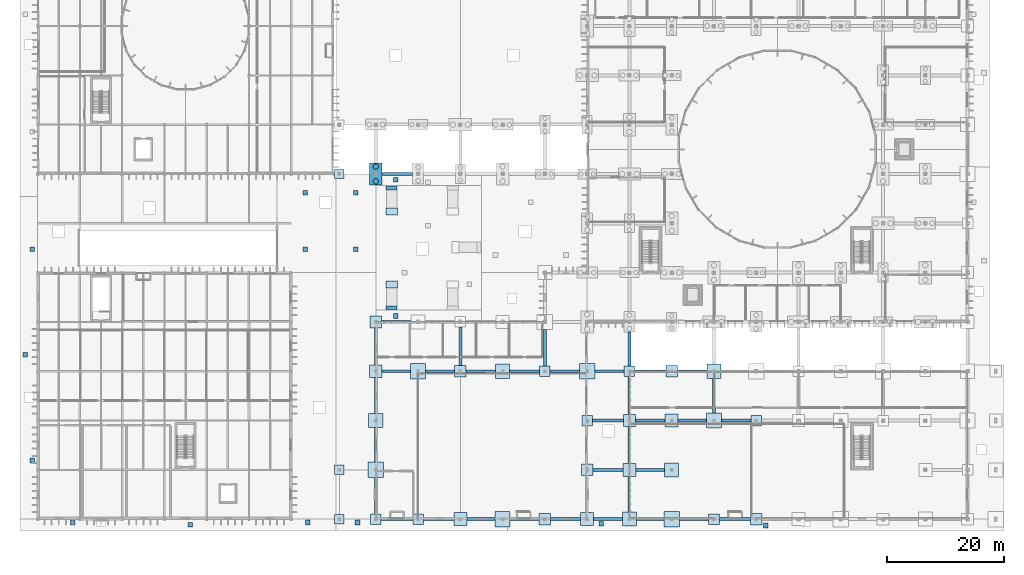
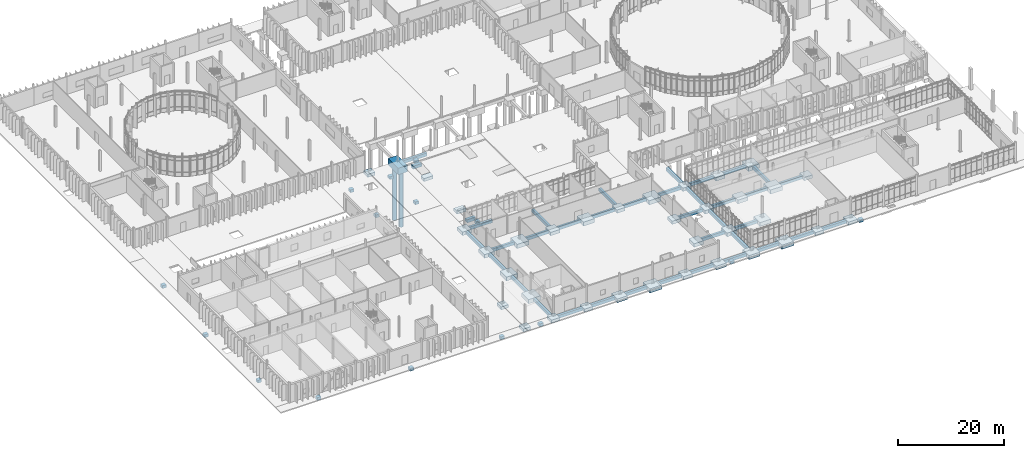
# One storey, part 1 of 118: 89 footings, 2 piles.
"""IFC4 building model written with IfcOpenShell, lengths in metres."""

from ifc_helpers import new_model, si_unit, direction, frame, origin, origin_2d, place, context, subcontext, project, spatial, polyline, rectangle, circle, outline, extrude, material, layer, layer_set, material_profile, profile_set, type_object, element, save


model = new_model("IFC4")

# Units and contexts
model_context = context("Model", 3, precision=1e-05, world=origin(), true_north=direction((0.0, 1.0)))
body_context = subcontext(model_context, "Body", "Model", "MODEL_VIEW")
ifc_project = project(units=[si_unit("LENGTHUNIT", "METRE"), si_unit("AREAUNIT", "SQUARE_METRE"), si_unit("VOLUMEUNIT", "CUBIC_METRE"), si_unit("PLANEANGLEUNIT", "RADIAN"), si_unit("MASSUNIT", "GRAM", prefix="KILO")], contexts=[model_context])

# Site, building, storey
site_placement = place(None, origin())
site = spatial("IfcSite", under=ifc_project, at=site_placement, CompositionType="ELEMENT")
building_placement = place(site_placement, origin())
building = spatial("IfcBuilding", under=site, at=building_placement, Name="Qelthora Terrace Specialist Clinic", CompositionType="ELEMENT")
storey_placement = place(building_placement, origin())
storey = spatial("IfcBuildingStorey", under=building, at=storey_placement, Name="L00", CompositionType="ELEMENT", Elevation=0.0)

# Footings
ifc_material = material(Name="Concrete C35/45", Category="concrete")
ifc_layer_1 = layer(ifc_material, 1.5)
ifc_layer_set_1 = layer_set([ifc_layer_1], Name="Concrete C35/45")
footing_type_1 = type_object("IfcFootingType", Name="PC-2100X3800X1500", PredefinedType="PILE_CAP", material=ifc_layer_set_1)
footing_1_placement = place(storey_placement, frame((57.60009765625, 58.800048828125, -1.760009765625), z_axis=(0.0, 0.0, 1.0), x_axis=(1.0, 0.0, 0.0)))
element("IfcFooting", 1, at=footing_1_placement, inside=storey, type_object=footing_type_1, Name="Foundation FTG-L00-109", PredefinedType="PILE_CAP", context=body_context, shape_type="SweptSolid", body=[
    extrude(rectangle(XDim=2.10009765625, YDim=3.800048828125, at=origin_2d()), origin(), (0.0, 0.0, 1.0), 1.5),
])
ifc_layer_2 = layer(ifc_material, 0.699951171875)
ifc_layer_set_2 = layer_set([ifc_layer_2], Name="Concrete C35/45")
footing_type_2 = type_object("IfcFootingType", Name="PF-1600X1600X700", PredefinedType="PAD_FOOTING", material=ifc_layer_set_2)
for number, where, z_axis, x_axis, name in (
    (2, (51.39990234375, 0.0, -0.9599609375), (0.0, 0.0, 1.0), (1.0, 0.0, 0.0), "Foundation FTG-L00-100"),
    (3, (51.39990234375, 8.39990234375, -0.9599609375), (0.0, 0.0, 1.0), (1.0, 0.0, 0.0), "Foundation FTG-L00-101"),
    (4, (51.39990234375, 58.800048828125, -0.9599609375), (0.0, 0.0, 1.0), (1.0, 0.0, 0.0), "Foundation FTG-L00-102"),
):
    element("IfcFooting", number, at=place(storey_placement, frame(where, z_axis=z_axis, x_axis=x_axis)), inside=storey, type_object=footing_type_2, Name=name, PredefinedType="PAD_FOOTING", context=body_context, shape_type="SweptSolid", body=[
        extrude(rectangle(XDim=1.60009765625, YDim=1.60009765625, at=origin_2d()), origin(), (0.0, 0.0, 1.0), 0.699951171875),
    ])
ifc_layer_3 = layer(ifc_material, 0.75)
ifc_layer_set_3 = layer_set([ifc_layer_3], Name="Concrete C35/45")
footing_type_3 = type_object("IfcFootingType", Name="PF-1800X1800X750", PredefinedType="PAD_FOOTING", material=ifc_layer_set_3)
for number, where, z_axis, x_axis, name in (
    (5, (57.60009765625, 0.0, -1.010009765625), (0.0, 0.0, 1.0), (1.0, 0.0, 0.0), "Foundation FTG-L00-104"),
    (6, (64.800048828125, 0.0, -1.010009765625), (0.0, 0.0, 1.0), (1.0, 0.0, 0.0), "Foundation FTG-L00-114"),
    (7, (86.39990234375, 25.199951171875, -1.010009765625), (0.0, 0.0, 1.0), (1.0, 0.0, 0.0), "Foundation FTG-L00-139"),
    (8, (93.60009765625, 16.800048828125, -1.010009765625), (0.0, 0.0, 1.0), (1.0, 0.0, 0.0), "Foundation FTG-L00-149"),
    (9, (100.800048828125, 25.199951171875, -1.010009765625), (0.0, 0.0, 1.0), (1.0, 0.0, 0.0), "Foundation FTG-L00-164"),
    (10, (115.199951171875, 0.0, -1.010009765625), (0.0, 0.0, 1.0), (1.0, 0.0, 0.0), "Foundation FTG-L00-189"),
    (11, (122.39990234375, 16.800048828125, -1.010009765625), (0.0, 0.0, 1.0), (1.0, 0.0, 0.0), "Foundation FTG-L00-199"),
):
    element("IfcFooting", number, at=place(storey_placement, frame(where, z_axis=z_axis, x_axis=x_axis)), inside=storey, type_object=footing_type_3, Name=name, PredefinedType="PAD_FOOTING", context=body_context, shape_type="SweptSolid", body=[
        extrude(rectangle(XDim=1.800048828125, YDim=1.800048828125, at=origin_2d()), origin(), (0.0, 0.0, 1.0), 0.75),
    ])
footing_2_placement = place(storey_placement, frame((0.0, 0.0, -1.199951171875)))
element("IfcFooting", 12, at=footing_2_placement, inside=storey, type_object=footing_type_3, Name="Pedestrian ramp PR-01 landing footing", PredefinedType="PAD_FOOTING", context=body_context, shape_type="SweptSolid", body=[
    extrude(outline(polyline([(59.300048828125, 39.39990234375), (61.300048828125, 39.39990234375), (61.300048828125, 40.60009765625), (59.300048828125, 40.60009765625), (59.300048828125, 39.39990234375)])), origin(), (0.0, 0.0, 1.0), 0.699951171875),
])
footing_3_placement = place(storey_placement, frame((0.0, 0.0, -0.949951171875)))
element("IfcFooting", 13, at=footing_3_placement, inside=storey, type_object=footing_type_3, Name="Pedestrian ramp PR-01 upper abutment footing", PredefinedType="PAD_FOOTING", context=body_context, shape_type="SweptSolid", body=[
    extrude(outline(polyline([(59.35009765625, 35.6494140625), (61.25, 35.6494140625), (61.25, 36.349365234375), (59.35009765625, 36.349365234375), (59.35009765625, 35.6494140625)])), origin(), (0.0, 0.0, 1.0), 0.699951171875),
])
footing_4_placement = place(storey_placement, frame((0.0, 0.0, -1.199951171875)))
element("IfcFooting", 14, at=footing_4_placement, inside=storey, type_object=footing_type_3, Name="Pedestrian ramp PR-03 landing footing", PredefinedType="PAD_FOOTING", context=body_context, shape_type="SweptSolid", body=[
    extrude(outline(polyline([(59.300048828125, 51.800048828125), (61.300048828125, 51.800048828125), (61.300048828125, 53.0), (59.300048828125, 53.0), (59.300048828125, 51.800048828125)])), origin(), (0.0, 0.0, 1.0), 0.699951171875),
])
footing_5_placement = place(storey_placement, frame((0.0, 0.0, -0.949951171875)))
element("IfcFooting", 15, at=footing_5_placement, inside=storey, type_object=footing_type_3, Name="Pedestrian ramp PR-03 upper abutment footing", PredefinedType="PAD_FOOTING", context=body_context, shape_type="SweptSolid", body=[
    extrude(outline(polyline([(59.35009765625, 56.050537109375), (61.25, 56.050537109375), (61.25, 56.75048828125), (59.35009765625, 56.75048828125), (59.35009765625, 56.050537109375)])), origin(), (0.0, 0.0, 1.0), 0.699951171875),
])
ifc_layer_4 = layer(ifc_material, 0.800048828125)
ifc_layer_set_4 = layer_set([ifc_layer_4], Name="Concrete C35/45")
footing_type_4 = type_object("IfcFootingType", Name="PF-2000X2000X800", PredefinedType="PAD_FOOTING", material=ifc_layer_set_4)
for number, where, z_axis, x_axis, name in (
    (16, (57.60009765625, 33.60009765625, -1.06005859375), (0.0, 0.0, 1.0), (1.0, 0.0, 0.0), "Foundation FTG-L00-108"),
    (17, (72.0, 25.199951171875, -1.06005859375), (0.0, 0.0, 1.0), (1.0, 0.0, 0.0), "Foundation FTG-L00-123"),
    (18, (86.39990234375, 0.0, -1.06005859375), (0.0, 0.0, 1.0), (1.0, 0.0, 0.0), "Foundation FTG-L00-138"),
    (19, (93.60009765625, 8.39990234375, -1.06005859375), (0.0, 0.0, 1.0), (1.0, 0.0, 0.0), "Foundation FTG-L00-148"),
    (20, (100.800048828125, 16.800048828125, -1.06005859375), (0.0, 0.0, 1.0), (1.0, 0.0, 0.0), "Foundation FTG-L00-163"),
    (21, (108.0, 25.199951171875, -1.06005859375), (0.0, 0.0, 1.0), (1.0, 0.0, 0.0), "Foundation FTG-L00-178"),
    (22, (122.39990234375, 0.0, -1.06005859375), (0.0, 0.0, 1.0), (1.0, 0.0, 0.0), "Foundation FTG-L00-198"),
):
    element("IfcFooting", number, at=place(storey_placement, frame(where, z_axis=z_axis, x_axis=x_axis)), inside=storey, type_object=footing_type_4, Name=name, PredefinedType="PAD_FOOTING", context=body_context, shape_type="SweptSolid", body=[
        extrude(rectangle(XDim=2.0, YDim=2.0, at=origin_2d()), origin(), (0.0, 0.0, 1.0), 0.800048828125),
    ])
ifc_layer_5 = layer(ifc_material, 0.85009765625)
ifc_layer_set_5 = layer_set([ifc_layer_5], Name="Concrete C35/45")
footing_type_5 = type_object("IfcFootingType", Name="PF-2200X2200X850", PredefinedType="PAD_FOOTING", material=ifc_layer_set_5)
for number, where, z_axis, x_axis, name in (
    (23, (57.60009765625, 25.199951171875, -1.110107421875), (0.0, 0.0, 1.0), (1.0, 0.0, 0.0), "Foundation FTG-L00-107"),
    (24, (72.0, 0.0, -1.110107421875), (0.0, 0.0, 1.0), (1.0, 0.0, 0.0), "Foundation FTG-L00-122"),
    (25, (93.60009765625, 0.0, -1.110107421875), (0.0, 0.0, 1.0), (1.0, 0.0, 0.0), "Foundation FTG-L00-147"),
    (26, (100.800048828125, 8.39990234375, -1.110107421875), (0.0, 0.0, 1.0), (1.0, 0.0, 0.0), "Foundation FTG-L00-162"),
    (27, (108.0, 16.800048828125, -1.110107421875), (0.0, 0.0, 1.0), (1.0, 0.0, 0.0), "Foundation FTG-L00-177"),
):
    element("IfcFooting", number, at=place(storey_placement, frame(where, z_axis=z_axis, x_axis=x_axis)), inside=storey, type_object=footing_type_5, Name=name, PredefinedType="PAD_FOOTING", context=body_context, shape_type="SweptSolid", body=[
        extrude(rectangle(XDim=2.199951171875, YDim=2.199951171875, at=origin_2d()), origin(), (0.0, 0.0, 1.0), 0.85009765625),
    ])
ifc_layer_6 = layer(ifc_material, 0.89990234375)
ifc_layer_set_6 = layer_set([ifc_layer_6], Name="Concrete C35/45")
footing_type_6 = type_object("IfcFootingType", Name="PF-2400X2400X900", PredefinedType="PAD_FOOTING", material=ifc_layer_set_6)
for number, where, z_axis, x_axis, name in (
    (28, (57.60009765625, 16.800048828125, -1.159912109375), (0.0, 0.0, 1.0), (1.0, 0.0, 0.0), "Foundation FTG-L00-106"),
    (29, (79.199951171875, 25.199951171875, -1.159912109375), (0.0, 0.0, 1.0), (1.0, 0.0, 0.0), "Foundation FTG-L00-131"),
    (30, (100.800048828125, 0.0, -1.159912109375), (0.0, 0.0, 1.0), (1.0, 0.0, 0.0), "Foundation FTG-L00-161"),
    (31, (108.0, 8.39990234375, -1.159912109375), (0.0, 0.0, 1.0), (1.0, 0.0, 0.0), "Foundation FTG-L00-176"),
    (32, (115.199951171875, 25.199951171875, -1.159912109375), (0.0, 0.0, 1.0), (1.0, 0.0, 0.0), "Foundation FTG-L00-191"),
):
    element("IfcFooting", number, at=place(storey_placement, frame(where, z_axis=z_axis, x_axis=x_axis)), inside=storey, type_object=footing_type_6, Name=name, PredefinedType="PAD_FOOTING", context=body_context, shape_type="SweptSolid", body=[
        extrude(rectangle(XDim=2.39990234375, YDim=2.39990234375, at=origin_2d()), origin(), (0.0, 0.0, 1.0), 0.89990234375),
    ])
ifc_layer_7 = layer(ifc_material, 0.949951171875)
ifc_layer_set_7 = layer_set([ifc_layer_7], Name="Concrete C35/45")
footing_type_7 = type_object("IfcFootingType", Name="PF-2600X2600X950", PredefinedType="PAD_FOOTING", material=ifc_layer_set_7)
for number, where, z_axis, x_axis, name in (
    (33, (57.60009765625, 8.39990234375, -1.2099609375), (0.0, 0.0, 1.0), (1.0, 0.0, 0.0), "Foundation FTG-L00-105"),
    (34, (64.800048828125, 25.199951171875, -1.2099609375), (0.0, 0.0, 1.0), (1.0, 0.0, 0.0), "Foundation FTG-L00-115"),
    (35, (79.199951171875, 0.0, -1.2099609375), (0.0, 0.0, 1.0), (1.0, 0.0, 0.0), "Foundation FTG-L00-130"),
    (36, (93.60009765625, 25.199951171875, -1.2099609375), (0.0, 0.0, 1.0), (1.0, 0.0, 0.0), "Foundation FTG-L00-150"),
    (37, (108.0, 0.0, -1.2099609375), (0.0, 0.0, 1.0), (1.0, 0.0, 0.0), "Foundation FTG-L00-175"),
    (38, (115.199951171875, 16.800048828125, -1.2099609375), (0.0, 0.0, 1.0), (1.0, 0.0, 0.0), "Foundation FTG-L00-190"),
):
    element("IfcFooting", number, at=place(storey_placement, frame(where, z_axis=z_axis, x_axis=x_axis)), inside=storey, type_object=footing_type_7, Name=name, PredefinedType="PAD_FOOTING", context=body_context, shape_type="SweptSolid", body=[
        extrude(rectangle(XDim=2.60009765625, YDim=2.60009765625, at=origin_2d()), origin(), (0.0, 0.0, 1.0), 0.949951171875),
    ])
ifc_layer_8 = layer(ifc_material, 0.64990234375)
ifc_layer_set_8 = layer_set([ifc_layer_8], Name="Concrete C35/45")
footing_type_8 = type_object("IfcFootingType", Name="PF-800X800X650", PredefinedType="PAD_FOOTING", material=ifc_layer_set_8)
for number, where, z_axis, x_axis, name in (
    (39, (6.0, -0.550048828125, -0.89990234375), (0.0, 0.0, 1.0), (1.0, 0.0, 0.0), "Under-slab apron pad footing FTG-PLZ-10"),
    (40, (26.0, -0.949951171875, -0.89990234375), (0.0, 0.0, 1.0), (1.0, 0.0, 0.0), "Under-slab apron pad footing FTG-PLZ-11"),
    (41, (46.0, -0.550048828125, -0.89990234375), (0.0, 0.0, 1.0), (1.0, 0.0, 0.0), "Under-slab apron pad footing FTG-PLZ-12"),
    (42, (54.5, -0.550048828125, -0.89990234375), (0.0, 0.0, 1.0), (1.0, 0.0, 0.0), "Under-slab apron pad footing FTG-PLZ-13"),
    (43, (96.0, -0.780029296875, -0.89990234375), (0.0, 0.0, 1.0), (1.0, 0.0, 0.0), "Under-slab apron pad footing FTG-PLZ-16"),
    (44, (124.0, -1.06005859375, -0.89990234375), (0.0, 0.0, 1.0), (1.0, 0.0, 0.0), "Under-slab apron pad footing FTG-PLZ-17"),
    (45, (-0.89990234375, 10.0, -0.89990234375), (0.0, 0.0, 1.0), (1.0, 0.0, 0.0), "Under-slab apron pad footing FTG-PLZ-19"),
    (46, (-2.10009765625, 28.0, -0.89990234375), (0.0, 0.0, 1.0), (1.0, 0.0, 0.0), "Under-slab apron pad footing FTG-PLZ-20"),
    (47, (-0.89990234375, 46.0, -0.89990234375), (0.0, 0.0, 1.0), (1.0, 0.0, 0.0), "Under-slab apron pad footing FTG-PLZ-21"),
    (48, (45.60009765625, 46.0, -0.89990234375), (0.0, 0.0, 1.0), (1.0, 0.0, 0.0), "Under-slab apron pad footing FTG-PLZ-31"),
    (49, (45.60009765625, 55.60009765625, -0.89990234375), (0.0, 0.0, 1.0), (1.0, 0.0, 0.0), "Under-slab apron pad footing FTG-PLZ-32"),
    (50, (54.199951171875, 46.0, -0.89990234375), (0.0, 0.0, 1.0), (1.0, 0.0, 0.0), "Under-slab apron pad footing FTG-PLZ-33"),
    (51, (54.199951171875, 55.60009765625, -0.89990234375), (0.0, 0.0, 1.0), (1.0, 0.0, 0.0), "Under-slab apron pad footing FTG-PLZ-34"),
    (52, (61.0, 34.60009765625, -0.89990234375), (0.0, 0.0, 1.0), (1.0, 0.0, 0.0), "Under-slab apron pad footing FTG-PLZ-35"),
    (53, (61.0, 57.800048828125, -0.89990234375), (0.0, 0.0, 1.0), (1.0, 0.0, 0.0), "Under-slab apron pad footing FTG-PLZ-38"),
):
    element("IfcFooting", number, at=place(storey_placement, frame(where, z_axis=z_axis, x_axis=x_axis)), inside=storey, type_object=footing_type_8, Name=name, PredefinedType="PAD_FOOTING", context=body_context, shape_type="SweptSolid", body=[
        extrude(rectangle(XDim=0.800048828125, YDim=0.800048828125, at=origin_2d()), origin(), (0.0, 0.0, 1.0), 0.64990234375),
    ])

# Piles
ifc_material_profile = material_profile(ifc_material, circle(Radius=0.449951171875, at=origin_2d()), Name="PILE900")
ifc_profile_set = profile_set([ifc_material_profile], Name="Concrete C35/45")
pile_type = type_object("IfcPileType", Name="PILE-D900-C35", PredefinedType="BORED", material=ifc_profile_set)
for number, where, z_axis, x_axis, name in (
    (54, (57.60009765625, 57.550048828125, -1.659912109375), (0.0, 0.0, -1.0), (1.0, 0.0, 0.0), "Bored pile PILE-L00-109-1"),
    (55, (57.60009765625, 60.050048828125, -1.659912109375), (0.0, 0.0, -1.0), (1.0, 0.0, 0.0), "Bored pile PILE-L00-109-2"),
):
    element("IfcPile", number, at=place(storey_placement, frame(where, z_axis=z_axis, x_axis=x_axis)), inside=storey, type_object=pile_type, Name=name, PredefinedType="BORED", context=body_context, shape_type="SweptSolid", body=[
        extrude(circle(Radius=0.449951171875, at=origin_2d()), origin(), (0.0, 0.0, 1.0), 12.639892578125),
    ])

# Footings
ifc_layer_9 = layer(ifc_material, 0.699951171875)
ifc_layer_set_9 = layer_set([ifc_layer_9], Name="Concrete C35/45")
footing_type_9 = type_object("IfcFootingType", Name="SF-500X700-C35", PredefinedType="STRIP_FOOTING", material=ifc_layer_set_9)
footing_6_placement = place(storey_placement, frame((0.0, 0.0, -0.9599609375)))
element("IfcFooting", 56, at=footing_6_placement, inside=storey, type_object=footing_type_9, Name="Foundation tie strip SF-X-131", PredefinedType="STRIP_FOOTING", context=body_context, shape_type="SweptSolid", body=[
    extrude(outline(polyline([(58.5, -0.25), (63.89990234375, -0.25), (63.89990234375, 0.25), (58.5, 0.25), (58.5, -0.25)])), origin(), (0.0, 0.0, 1.0), 0.699951171875),
])
footing_7_placement = place(storey_placement, frame((0.0, 0.0, -0.9599609375)))
element("IfcFooting", 57, at=footing_7_placement, inside=storey, type_object=footing_type_9, Name="Foundation tie strip SF-Y-132", PredefinedType="STRIP_FOOTING", context=body_context, shape_type="SweptSolid", body=[
    extrude(outline(polyline([(57.35009765625, 0.89990234375), (57.85009765625, 0.89990234375), (57.85009765625, 7.10009765625), (57.35009765625, 7.10009765625), (57.35009765625, 0.89990234375)])), origin(), (0.0, 0.0, 1.0), 0.699951171875),
])
footing_8_placement = place(storey_placement, frame((0.0, 0.0, -0.9599609375)))
element("IfcFooting", 58, at=footing_8_placement, inside=storey, type_object=footing_type_9, Name="Foundation tie strip SF-Y-133", PredefinedType="STRIP_FOOTING", context=body_context, shape_type="SweptSolid", body=[
    extrude(outline(polyline([(57.35009765625, 9.699951171875), (57.85009765625, 9.699951171875), (57.85009765625, 15.60009765625), (57.35009765625, 15.60009765625), (57.35009765625, 9.699951171875)])), origin(), (0.0, 0.0, 1.0), 0.699951171875),
])
footing_9_placement = place(storey_placement, frame((0.0, 0.0, -0.9599609375)))
element("IfcFooting", 59, at=footing_9_placement, inside=storey, type_object=footing_type_9, Name="Foundation tie strip SF-Y-134", PredefinedType="STRIP_FOOTING", context=body_context, shape_type="SweptSolid", body=[
    extrude(outline(polyline([(57.35009765625, 18.0), (57.85009765625, 18.0), (57.85009765625, 24.10009765625), (57.35009765625, 24.10009765625), (57.35009765625, 18.0)])), origin(), (0.0, 0.0, 1.0), 0.699951171875),
])
footing_10_placement = place(storey_placement, frame((0.0, 0.0, -0.9599609375)))
element("IfcFooting", 60, at=footing_10_placement, inside=storey, type_object=footing_type_9, Name="Foundation tie strip SF-X-135", PredefinedType="STRIP_FOOTING", context=body_context, shape_type="SweptSolid", body=[
    extrude(outline(polyline([(58.699951171875, 24.949951171875), (63.5, 24.949951171875), (63.5, 25.449951171875), (58.699951171875, 25.449951171875), (58.699951171875, 24.949951171875)])), origin(), (0.0, 0.0, 1.0), 0.699951171875),
])
footing_11_placement = place(storey_placement, frame((0.0, 0.0, -0.9599609375)))
element("IfcFooting", 61, at=footing_11_placement, inside=storey, type_object=footing_type_9, Name="Foundation tie strip SF-Y-136", PredefinedType="STRIP_FOOTING", context=body_context, shape_type="SweptSolid", body=[
    extrude(outline(polyline([(57.35009765625, 26.300048828125), (57.85009765625, 26.300048828125), (57.85009765625, 32.60009765625), (57.35009765625, 32.60009765625), (57.35009765625, 26.300048828125)])), origin(), (0.0, 0.0, 1.0), 0.699951171875),
])
footing_12_placement = place(storey_placement, frame((0.0, 0.0, -0.9599609375)))
element("IfcFooting", 62, at=footing_12_placement, inside=storey, type_object=footing_type_9, Name="Foundation tie strip SF-X-137", PredefinedType="STRIP_FOOTING", context=body_context, shape_type="SweptSolid", body=[
    extrude(outline(polyline([(58.60009765625, 33.35009765625), (63.60009765625, 33.35009765625), (63.60009765625, 33.85009765625), (58.60009765625, 33.85009765625), (58.60009765625, 33.35009765625)])), origin(), (0.0, 0.0, 1.0), 0.699951171875),
])
footing_13_placement = place(storey_placement, frame((0.0, 0.0, -0.9599609375)))
element("IfcFooting", 63, at=footing_13_placement, inside=storey, type_object=footing_type_9, Name="Foundation tie strip SF-X-138", PredefinedType="STRIP_FOOTING", context=body_context, shape_type="SweptSolid", body=[
    extrude(outline(polyline([(58.64990234375, 58.550048828125), (63.85009765625, 58.550048828125), (63.85009765625, 59.050048828125), (58.64990234375, 59.050048828125), (58.64990234375, 58.550048828125)])), origin(), (0.0, 0.0, 1.0), 0.699951171875),
])
footing_14_placement = place(storey_placement, frame((0.0, 0.0, -0.9599609375)))
element("IfcFooting", 64, at=footing_14_placement, inside=storey, type_object=footing_type_9, Name="Foundation tie strip SF-X-146", PredefinedType="STRIP_FOOTING", context=body_context, shape_type="SweptSolid", body=[
    extrude(outline(polyline([(65.699951171875, -0.25), (70.89990234375, -0.25), (70.89990234375, 0.25), (65.699951171875, 0.25), (65.699951171875, -0.25)])), origin(), (0.0, 0.0, 1.0), 0.699951171875),
])
footing_15_placement = place(storey_placement, frame((0.0, 0.0, -0.9599609375)))
element("IfcFooting", 65, at=footing_15_placement, inside=storey, type_object=footing_type_9, Name="Foundation tie strip SF-X-147", PredefinedType="STRIP_FOOTING", context=body_context, shape_type="SweptSolid", body=[
    extrude(outline(polyline([(66.10009765625, 24.949951171875), (71.0, 24.949951171875), (71.0, 25.449951171875), (66.10009765625, 25.449951171875), (66.10009765625, 24.949951171875)])), origin(), (0.0, 0.0, 1.0), 0.699951171875),
])
footing_16_placement = place(storey_placement, frame((0.0, 0.0, -0.9599609375)))
element("IfcFooting", 66, at=footing_16_placement, inside=storey, type_object=footing_type_9, Name="Foundation tie strip SF-X-154", PredefinedType="STRIP_FOOTING", context=body_context, shape_type="SweptSolid", body=[
    extrude(outline(polyline([(73.10009765625, -0.25), (77.89990234375, -0.25), (77.89990234375, 0.25), (73.10009765625, 0.25), (73.10009765625, -0.25)])), origin(), (0.0, 0.0, 1.0), 0.699951171875),
])
footing_17_placement = place(storey_placement, frame((0.0, 0.0, -0.9599609375)))
element("IfcFooting", 67, at=footing_17_placement, inside=storey, type_object=footing_type_9, Name="Foundation tie strip SF-X-155", PredefinedType="STRIP_FOOTING", context=body_context, shape_type="SweptSolid", body=[
    extrude(outline(polyline([(73.0, 24.949951171875), (78.0, 24.949951171875), (78.0, 25.449951171875), (73.0, 25.449951171875), (73.0, 24.949951171875)])), origin(), (0.0, 0.0, 1.0), 0.699951171875),
])
footing_18_placement = place(storey_placement, frame((0.0, 0.0, -0.9599609375)))
element("IfcFooting", 68, at=footing_18_placement, inside=storey, type_object=footing_type_9, Name="Foundation tie strip SF-Y-156", PredefinedType="STRIP_FOOTING", context=body_context, shape_type="SweptSolid", body=[
    extrude(outline(polyline([(71.75, 26.199951171875), (72.25, 26.199951171875), (72.25, 32.699951171875), (71.75, 32.699951171875), (71.75, 26.199951171875)])), origin(), (0.0, 0.0, 1.0), 0.699951171875),
])
footing_19_placement = place(storey_placement, frame((0.0, 0.0, -0.9599609375)))
element("IfcFooting", 69, at=footing_19_placement, inside=storey, type_object=footing_type_9, Name="Foundation tie strip SF-X-166", PredefinedType="STRIP_FOOTING", context=body_context, shape_type="SweptSolid", body=[
    extrude(outline(polyline([(80.5, -0.25), (85.39990234375, -0.25), (85.39990234375, 0.25), (80.5, 0.25), (80.5, -0.25)])), origin(), (0.0, 0.0, 1.0), 0.699951171875),
])
footing_20_placement = place(storey_placement, frame((0.0, 0.0, -0.9599609375)))
element("IfcFooting", 70, at=footing_20_placement, inside=storey, type_object=footing_type_9, Name="Foundation tie strip SF-X-167", PredefinedType="STRIP_FOOTING", context=body_context, shape_type="SweptSolid", body=[
    extrude(outline(polyline([(80.39990234375, 24.949951171875), (85.5, 24.949951171875), (85.5, 25.449951171875), (80.39990234375, 25.449951171875), (80.39990234375, 24.949951171875)])), origin(), (0.0, 0.0, 1.0), 0.699951171875),
])
footing_21_placement = place(storey_placement, frame((0.0, 0.0, -0.9599609375)))
element("IfcFooting", 71, at=footing_21_placement, inside=storey, type_object=footing_type_9, Name="Foundation tie strip SF-X-174", PredefinedType="STRIP_FOOTING", context=body_context, shape_type="SweptSolid", body=[
    extrude(outline(polyline([(87.39990234375, -0.25), (92.5, -0.25), (92.5, 0.25), (87.39990234375, 0.25), (87.39990234375, -0.25)])), origin(), (0.0, 0.0, 1.0), 0.699951171875),
])
footing_22_placement = place(storey_placement, frame((0.0, 0.0, -0.9599609375)))
element("IfcFooting", 72, at=footing_22_placement, inside=storey, type_object=footing_type_9, Name="Foundation tie strip SF-X-175", PredefinedType="STRIP_FOOTING", context=body_context, shape_type="SweptSolid", body=[
    extrude(outline(polyline([(87.300048828125, 24.949951171875), (92.300048828125, 24.949951171875), (92.300048828125, 25.449951171875), (87.300048828125, 25.449951171875), (87.300048828125, 24.949951171875)])), origin(), (0.0, 0.0, 1.0), 0.699951171875),
])
footing_23_placement = place(storey_placement, frame((0.0, 0.0, -0.9599609375)))
element("IfcFooting", 73, at=footing_23_placement, inside=storey, type_object=footing_type_9, Name="Foundation tie strip SF-Y-176", PredefinedType="STRIP_FOOTING", context=body_context, shape_type="SweptSolid", body=[
    extrude(outline(polyline([(86.14990234375, 26.10009765625), (86.64990234375, 26.10009765625), (86.64990234375, 32.300048828125), (86.14990234375, 32.300048828125), (86.14990234375, 26.10009765625)])), origin(), (0.0, 0.0, 1.0), 0.699951171875),
])
footing_24_placement = place(storey_placement, frame((0.0, 0.0, -0.9599609375)))
element("IfcFooting", 74, at=footing_24_placement, inside=storey, type_object=footing_type_9, Name="Foundation tie strip SF-X-188", PredefinedType="STRIP_FOOTING", context=body_context, shape_type="SweptSolid", body=[
    extrude(outline(polyline([(94.699951171875, -0.25), (99.60009765625, -0.25), (99.60009765625, 0.25), (94.699951171875, 0.25), (94.699951171875, -0.25)])), origin(), (0.0, 0.0, 1.0), 0.699951171875),
])
footing_25_placement = place(storey_placement, frame((0.0, 0.0, -0.9599609375)))
element("IfcFooting", 75, at=footing_25_placement, inside=storey, type_object=footing_type_9, Name="Foundation tie strip SF-X-189", PredefinedType="STRIP_FOOTING", context=body_context, shape_type="SweptSolid", body=[
    extrude(outline(polyline([(94.60009765625, 8.14990234375), (99.699951171875, 8.14990234375), (99.699951171875, 8.64990234375), (94.60009765625, 8.64990234375), (94.60009765625, 8.14990234375)])), origin(), (0.0, 0.0, 1.0), 0.699951171875),
])
footing_26_placement = place(storey_placement, frame((0.0, 0.0, -0.9599609375)))
element("IfcFooting", 76, at=footing_26_placement, inside=storey, type_object=footing_type_9, Name="Foundation tie strip SF-X-190", PredefinedType="STRIP_FOOTING", context=body_context, shape_type="SweptSolid", body=[
    extrude(outline(polyline([(94.5, 16.550048828125), (99.800048828125, 16.550048828125), (99.800048828125, 17.050048828125), (94.5, 17.050048828125), (94.5, 16.550048828125)])), origin(), (0.0, 0.0, 1.0), 0.699951171875),
])
footing_27_placement = place(storey_placement, frame((0.0, 0.0, -0.9599609375)))
element("IfcFooting", 77, at=footing_27_placement, inside=storey, type_object=footing_type_9, Name="Foundation tie strip SF-X-191", PredefinedType="STRIP_FOOTING", context=body_context, shape_type="SweptSolid", body=[
    extrude(outline(polyline([(94.89990234375, 24.949951171875), (99.89990234375, 24.949951171875), (99.89990234375, 25.449951171875), (94.89990234375, 25.449951171875), (94.89990234375, 24.949951171875)])), origin(), (0.0, 0.0, 1.0), 0.699951171875),
])
footing_28_placement = place(storey_placement, frame((0.0, 0.0, -0.9599609375)))
element("IfcFooting", 78, at=footing_28_placement, inside=storey, type_object=footing_type_9, Name="Foundation tie strip SF-X-202", PredefinedType="STRIP_FOOTING", context=body_context, shape_type="SweptSolid", body=[
    extrude(outline(polyline([(102.0, -0.25), (106.699951171875, -0.25), (106.699951171875, 0.25), (102.0, 0.25), (102.0, -0.25)])), origin(), (0.0, 0.0, 1.0), 0.699951171875),
])
footing_29_placement = place(storey_placement, frame((0.0, 0.0, -0.9599609375)))
element("IfcFooting", 79, at=footing_29_placement, inside=storey, type_object=footing_type_9, Name="Foundation tie strip SF-Y-203", PredefinedType="STRIP_FOOTING", context=body_context, shape_type="SweptSolid", body=[
    extrude(outline(polyline([(100.550048828125, 1.199951171875), (101.050048828125, 1.199951171875), (101.050048828125, 7.300048828125), (100.550048828125, 7.300048828125), (100.550048828125, 1.199951171875)])), origin(), (0.0, 0.0, 1.0), 0.699951171875),
])
footing_30_placement = place(storey_placement, frame((0.0, 0.0, -0.9599609375)))
element("IfcFooting", 80, at=footing_30_placement, inside=storey, type_object=footing_type_9, Name="Foundation tie strip SF-X-204", PredefinedType="STRIP_FOOTING", context=body_context, shape_type="SweptSolid", body=[
    extrude(outline(polyline([(101.89990234375, 8.14990234375), (106.800048828125, 8.14990234375), (106.800048828125, 8.64990234375), (101.89990234375, 8.64990234375), (101.89990234375, 8.14990234375)])), origin(), (0.0, 0.0, 1.0), 0.699951171875),
])
footing_31_placement = place(storey_placement, frame((0.0, 0.0, -0.9599609375)))
element("IfcFooting", 81, at=footing_31_placement, inside=storey, type_object=footing_type_9, Name="Foundation tie strip SF-Y-205", PredefinedType="STRIP_FOOTING", context=body_context, shape_type="SweptSolid", body=[
    extrude(outline(polyline([(100.550048828125, 9.5), (101.050048828125, 9.5), (101.050048828125, 15.800048828125), (100.550048828125, 15.800048828125), (100.550048828125, 9.5)])), origin(), (0.0, 0.0, 1.0), 0.699951171875),
])
footing_32_placement = place(storey_placement, frame((0.0, 0.0, -0.9599609375)))
element("IfcFooting", 82, at=footing_32_placement, inside=storey, type_object=footing_type_9, Name="Foundation tie strip SF-X-206", PredefinedType="STRIP_FOOTING", context=body_context, shape_type="SweptSolid", body=[
    extrude(outline(polyline([(101.800048828125, 16.550048828125), (106.89990234375, 16.550048828125), (106.89990234375, 17.050048828125), (101.800048828125, 17.050048828125), (101.800048828125, 16.550048828125)])), origin(), (0.0, 0.0, 1.0), 0.699951171875),
])
footing_33_placement = place(storey_placement, frame((0.0, 0.0, -0.9599609375)))
element("IfcFooting", 83, at=footing_33_placement, inside=storey, type_object=footing_type_9, Name="Foundation tie strip SF-Y-207", PredefinedType="STRIP_FOOTING", context=body_context, shape_type="SweptSolid", body=[
    extrude(outline(polyline([(100.550048828125, 17.800048828125), (101.050048828125, 17.800048828125), (101.050048828125, 24.300048828125), (100.550048828125, 24.300048828125), (100.550048828125, 17.800048828125)])), origin(), (0.0, 0.0, 1.0), 0.699951171875),
])
footing_34_placement = place(storey_placement, frame((0.0, 0.0, -0.9599609375)))
element("IfcFooting", 84, at=footing_34_placement, inside=storey, type_object=footing_type_9, Name="Foundation tie strip SF-X-208", PredefinedType="STRIP_FOOTING", context=body_context, shape_type="SweptSolid", body=[
    extrude(outline(polyline([(101.699951171875, 24.949951171875), (107.0, 24.949951171875), (107.0, 25.449951171875), (101.699951171875, 25.449951171875), (101.699951171875, 24.949951171875)])), origin(), (0.0, 0.0, 1.0), 0.699951171875),
])
footing_35_placement = place(storey_placement, frame((0.0, 0.0, -0.9599609375)))
element("IfcFooting", 85, at=footing_35_placement, inside=storey, type_object=footing_type_9, Name="Foundation tie strip SF-Y-209", PredefinedType="STRIP_FOOTING", context=body_context, shape_type="SweptSolid", body=[
    extrude(outline(polyline([(100.550048828125, 26.10009765625), (101.050048828125, 26.10009765625), (101.050048828125, 31.85009765625), (100.550048828125, 31.85009765625), (100.550048828125, 26.10009765625)])), origin(), (0.0, 0.0, 1.0), 0.699951171875),
])
footing_36_placement = place(storey_placement, frame((0.0, 0.0, -0.9599609375)))
element("IfcFooting", 86, at=footing_36_placement, inside=storey, type_object=footing_type_9, Name="Foundation tie strip SF-X-229", PredefinedType="STRIP_FOOTING", context=body_context, shape_type="SweptSolid", body=[
    extrude(outline(polyline([(109.300048828125, -0.25), (114.300048828125, -0.25), (114.300048828125, 0.25), (109.300048828125, 0.25), (109.300048828125, -0.25)])), origin(), (0.0, 0.0, 1.0), 0.699951171875),
])
footing_37_placement = place(storey_placement, frame((0.0, 0.0, -0.9599609375)))
element("IfcFooting", 87, at=footing_37_placement, inside=storey, type_object=footing_type_9, Name="Foundation tie strip SF-X-230", PredefinedType="STRIP_FOOTING", context=body_context, shape_type="SweptSolid", body=[
    extrude(outline(polyline([(109.10009765625, 16.550048828125), (113.89990234375, 16.550048828125), (113.89990234375, 17.050048828125), (109.10009765625, 17.050048828125), (109.10009765625, 16.550048828125)])), origin(), (0.0, 0.0, 1.0), 0.699951171875),
])
footing_38_placement = place(storey_placement, frame((0.0, 0.0, -0.9599609375)))
element("IfcFooting", 88, at=footing_38_placement, inside=storey, type_object=footing_type_9, Name="Foundation tie strip SF-X-231", PredefinedType="STRIP_FOOTING", context=body_context, shape_type="SweptSolid", body=[
    extrude(outline(polyline([(109.0, 24.949951171875), (114.0, 24.949951171875), (114.0, 25.449951171875), (109.0, 25.449951171875), (109.0, 24.949951171875)])), origin(), (0.0, 0.0, 1.0), 0.699951171875),
])
footing_39_placement = place(storey_placement, frame((0.0, 0.0, -0.9599609375)))
element("IfcFooting", 89, at=footing_39_placement, inside=storey, type_object=footing_type_9, Name="Foundation tie strip SF-X-238", PredefinedType="STRIP_FOOTING", context=body_context, shape_type="SweptSolid", body=[
    extrude(outline(polyline([(116.10009765625, -0.25), (121.39990234375, -0.25), (121.39990234375, 0.25), (116.10009765625, 0.25), (116.10009765625, -0.25)])), origin(), (0.0, 0.0, 1.0), 0.699951171875),
])
footing_40_placement = place(storey_placement, frame((0.0, 0.0, -0.9599609375)))
element("IfcFooting", 90, at=footing_40_placement, inside=storey, type_object=footing_type_9, Name="Foundation tie strip SF-X-239", PredefinedType="STRIP_FOOTING", context=body_context, shape_type="SweptSolid", body=[
    extrude(outline(polyline([(116.5, 16.550048828125), (121.5, 16.550048828125), (121.5, 17.050048828125), (116.5, 17.050048828125), (116.5, 16.550048828125)])), origin(), (0.0, 0.0, 1.0), 0.699951171875),
])
footing_41_placement = place(storey_placement, frame((0.0, 0.0, -0.9599609375)))
element("IfcFooting", 91, at=footing_41_placement, inside=storey, type_object=footing_type_9, Name="Foundation tie strip SF-Y-240", PredefinedType="STRIP_FOOTING", context=body_context, shape_type="SweptSolid", body=[
    extrude(outline(polyline([(114.949951171875, 18.10009765625), (115.449951171875, 18.10009765625), (115.449951171875, 24.0), (114.949951171875, 24.0), (114.949951171875, 18.10009765625)])), origin(), (0.0, 0.0, 1.0), 0.699951171875),
])

save(model, "model.ifc")
